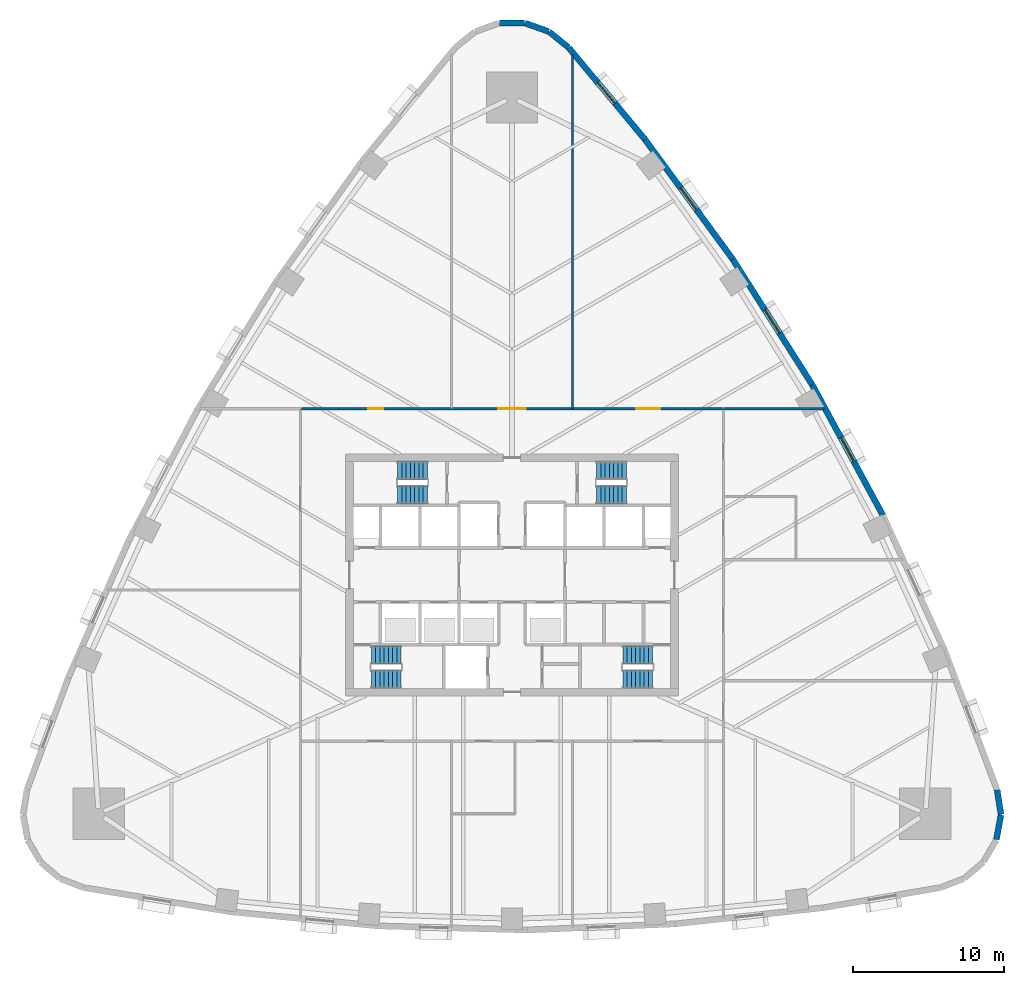
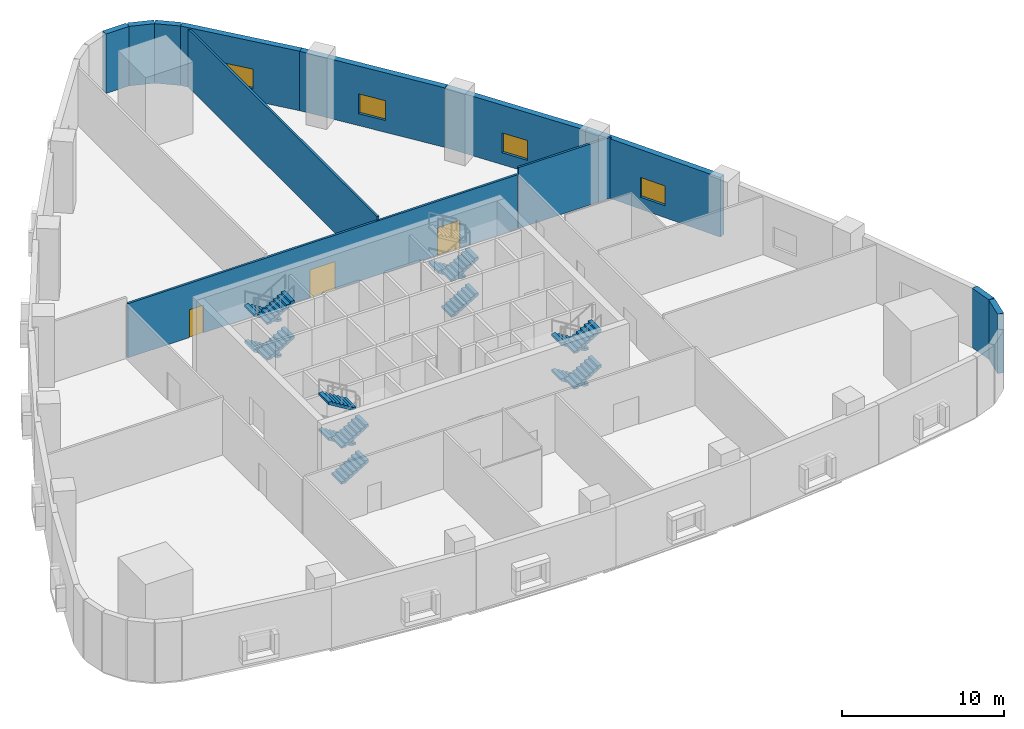
# One storey, part 6 of 11: 15 stair flights, 12 walls, 4 windows, 3 doors, 7 openings, 4 elements without a shape of their own.
"""IFC4 building model written with IfcOpenShell, lengths in metres."""

from ifc_helpers import new_model, si_unit, direction, frame, frame_2d, origin, place, context, subcontext, project, spatial, polyline, rectangle, outline, extrude, material, layer, layer_set, type_object, element, fill, aggregate, save


model = new_model("IFC4")

# Units and contexts
model_context = context("Model", 3, precision=1e-05, world=origin(), true_north=direction((0.0, 1.0)))
body_context = subcontext(model_context, "Body", "Model", "MODEL_VIEW")
ifc_project = project(units=[si_unit("LENGTHUNIT", "METRE"), si_unit("AREAUNIT", "SQUARE_METRE"), si_unit("VOLUMEUNIT", "CUBIC_METRE"), si_unit("PLANEANGLEUNIT", "RADIAN"), si_unit("MASSUNIT", "GRAM", prefix="KILO")], contexts=[model_context])

# Site, building, storey
site_placement = place(None, origin())
site = spatial("IfcSite", under=ifc_project, at=site_placement, CompositionType="ELEMENT")
building_placement = place(site_placement, origin())
building = spatial("IfcBuilding", under=site, at=building_placement, Name="Sierra Prisma Convention Tower", CompositionType="ELEMENT")
storey_placement = place(building_placement, frame((0.0, 0.0, 28.800048828125)))
storey = spatial("IfcBuildingStorey", under=building, at=storey_placement, Name="L04", CompositionType="ELEMENT", Elevation=28.800048828125)

# Wall, openings, doors
ifc_material_1 = material(Name="Gypsum board partition", Category="gypsum")
ifc_layer_1 = layer(ifc_material_1, 0.14990234375)
ifc_layer_set_1 = layer_set([ifc_layer_1], Name="Corridor wall 150 gypsum EI 60")
wall_type_1 = type_object("IfcWallType", Name="Corridor wall 150 gypsum EI 60", PredefinedType="PARTITIONING", material=ifc_layer_set_1)
wall_1_placement = place(storey_placement, frame((13.919921875, 11.0, 0.0), z_axis=(0.0, 0.0, 1.0), x_axis=(-1.0, 0.0, 0.0)))
wall_1 = element("IfcWall", 1, at=wall_1_placement, inside=storey, type_object=wall_type_1, Name="Partition L04 corr 3", PredefinedType="PARTITIONING", context=body_context, shape_type="SweptSolid", body=[
    extrude(rectangle(XDim=27.83984375, YDim=0.14990234375, at=frame_2d((13.919921875, 0.0))), origin(), (0.0, 0.0, 1.0), 4.096923828125),
])
opening_1_placement = place(wall_1_placement, frame((4.110107421875, 0.0, 0.0)))
opening_1 = element("IfcOpeningElement", 2, at=opening_1_placement, cuts=wall_1, Name="Opening L04-D026", PredefinedType="OPENING", context=body_context, shape_type="SweptSolid", body=[
    extrude(rectangle(XDim=1.60009765625, YDim=2.10009765625, at=frame_2d((0.800048828125, 1.050048828125))), frame((0.0, 0.074951171875, 0.0), z_axis=(0.0, -1.0, 0.0), x_axis=(1.0, 0.0, 0.0)), (0.0, 0.0, 1.0), 0.14990234375),
])
opening_2_placement = place(wall_1_placement, frame((13.02001953125, 0.0, 0.0)))
opening_2 = element("IfcOpeningElement", 3, at=opening_2_placement, cuts=wall_1, Name="Opening L04-D027", PredefinedType="OPENING", context=body_context, shape_type="SweptSolid", body=[
    extrude(rectangle(XDim=1.800048828125, YDim=2.10009765625, at=frame_2d((0.89990234375, 1.050048828125))), frame((0.0, 0.074951171875, 0.0), z_axis=(0.0, -1.0, 0.0), x_axis=(1.0, 0.0, 0.0)), (0.0, 0.0, 1.0), 0.14990234375),
])
opening_3_placement = place(wall_1_placement, frame((22.429931640625, 0.0, 0.0)))
opening_3 = element("IfcOpeningElement", 4, at=opening_3_placement, cuts=wall_1, Name="Opening L04-D028", PredefinedType="OPENING", context=body_context, shape_type="SweptSolid", body=[
    extrude(rectangle(XDim=1.0, YDim=2.10009765625, at=frame_2d((0.5, 1.050048828125))), frame((0.0, 0.074951171875, 0.0), z_axis=(0.0, -1.0, 0.0), x_axis=(1.0, 0.0, 0.0)), (0.0, 0.0, 1.0), 0.14990234375),
])
ifc_material_2 = material(Name="Steel fire door leaf", Category="steel")
door_type_1 = type_object("IfcDoorType", Name="Door 1000x2100 FD30S", OperationType="SINGLE_SWING_LEFT", PredefinedType="DOOR", material=ifc_material_2)
door_1_placement = place(opening_3_placement, origin())
door_1 = element("IfcDoor", 5, at=door_1_placement, inside=storey, type_object=door_type_1, Name="Door L04 5", OperationType="SINGLE_SWING_LEFT", OverallHeight=2.10009765625, OverallWidth=1.0, PredefinedType="DOOR", context=body_context, shape_type="SweptSolid", body=[
    extrude(rectangle(XDim=1.0, YDim=2.10009765625, at=frame_2d((0.5, 1.050048828125))), frame((0.0, 0.02490234375, 0.0), z_axis=(0.0, -1.0, 0.0), x_axis=(1.0, 0.0, 0.0)), (0.0, 0.0, 1.0), 0.050048828125),
])
fill(opening_3, door_1)
ifc_material_3 = material(Name="Steel fire door leaf", Category="steel")
door_type_2 = type_object("IfcDoorType", Name="Door 1600x2100 FD30S", OperationType="DOUBLE_DOOR_SINGLE_SWING", PredefinedType="DOOR", material=ifc_material_3)
door_2_placement = place(opening_1_placement, origin())
door_2 = element("IfcDoor", 6, at=door_2_placement, inside=storey, type_object=door_type_2, Name="Door L04 3", OperationType="DOUBLE_DOOR_SINGLE_SWING", OverallHeight=2.10009765625, OverallWidth=1.60009765625, PredefinedType="DOOR", context=body_context, shape_type="SweptSolid", body=[
    extrude(rectangle(XDim=1.60009765625, YDim=2.10009765625, at=frame_2d((0.800048828125, 1.050048828125))), frame((0.0, 0.02490234375, 0.0), z_axis=(0.0, -1.0, 0.0), x_axis=(1.0, 0.0, 0.0)), (0.0, 0.0, 1.0), 0.050048828125),
])
fill(opening_1, door_2)
ifc_material_4 = material(Name="Steel fire door leaf", Category="steel")
door_type_3 = type_object("IfcDoorType", Name="Door 1800x2100 FD30S", OperationType="DOUBLE_DOOR_SINGLE_SWING", PredefinedType="DOOR", material=ifc_material_4)
door_3_placement = place(opening_2_placement, origin())
door_3 = element("IfcDoor", 7, at=door_3_placement, inside=storey, type_object=door_type_3, Name="Door L04 4", OperationType="DOUBLE_DOOR_SINGLE_SWING", OverallHeight=2.10009765625, OverallWidth=1.800048828125, PredefinedType="DOOR", context=body_context, shape_type="SweptSolid", body=[
    extrude(rectangle(XDim=1.800048828125, YDim=2.10009765625, at=frame_2d((0.89990234375, 1.050048828125))), frame((0.0, 0.02490234375, 0.0), z_axis=(0.0, -1.0, 0.0), x_axis=(1.0, 0.0, 0.0)), (0.0, 0.0, 1.0), 0.050048828125),
])
fill(opening_2, door_3)

# Walls
ifc_material_5 = material(Name="Gypsum board partition", Category="gypsum")
ifc_layer_2 = layer(ifc_material_5, 0.14990234375)
ifc_layer_set_2 = layer_set([ifc_layer_2], Name="Party wall 150 gypsum")
wall_type_2 = type_object("IfcWallType", Name="Party wall 150 gypsum", PredefinedType="PARTITIONING", material=ifc_layer_set_2)
wall_2_placement = place(storey_placement, frame((4.0, 11.0, 0.0), z_axis=(0.0, 0.0, 1.0), x_axis=(0.0, 1.0, 0.0)))
element("IfcWall", 8, at=wall_2_placement, inside=storey, type_object=wall_type_2, Name="Partition L04 party 7", PredefinedType="PARTITIONING", context=body_context, shape_type="SweptSolid", body=[
    extrude(rectangle(XDim=23.422607421875, YDim=0.14990234375, at=frame_2d((11.71142578125, 0.0))), origin(), (0.0, 0.0, 1.0), 4.384033203125),
])
wall_3_placement = place(storey_placement, frame((14.0, 11.0, 0.0), z_axis=(0.0, 0.0, 1.0), x_axis=(1.0, 0.0, 0.0)))
element("IfcWall", 9, at=wall_3_placement, inside=storey, type_object=wall_type_2, Name="Partition L04 party 11", PredefinedType="PARTITIONING", context=body_context, shape_type="SweptSolid", body=[
    extrude(rectangle(XDim=6.64208984375, YDim=0.14990234375, at=frame_2d((3.321044921875, 0.0))), origin(), (0.0, 0.0, 1.0), 4.599853515625),
])
ifc_material_6 = material(Name="Concrete C40/50, terracotta plaster finish", Category="masonry")
ifc_layer_3 = layer(ifc_material_6, 0.39990234375)
ifc_layer_set_3 = layer_set([ifc_layer_3], Name="Podium plastered wall 400")
wall_type_3 = type_object("IfcWallType", Name="Podium plastered wall 400", PredefinedType="STANDARD", material=ifc_layer_set_3)
wall_4_placement = place(storey_placement, frame((32.355224609375, -15.87841796875, 0.0), z_axis=(0.0, 0.0, 1.0), x_axis=(-0.182653168579, -0.983177410241, 0.0)))
element("IfcWall", 10, at=wall_4_placement, inside=storey, type_object=wall_type_3, Name="Podium wall L04 3", PredefinedType="STANDARD", context=body_context, shape_type="SweptSolid", body=[
    extrude(rectangle(XDim=1.65869140625, YDim=0.39990234375, at=frame_2d((0.829345703125, 0.0))), origin(), (0.0, 0.0, 1.0), 4.5),
])
wall_5_placement = place(storey_placement, frame((32.099365234375, -14.218505859375, 0.0), z_axis=(0.0, 0.0, 1.0), x_axis=(0.155711266073, -0.98780261268, 0.0)))
element("IfcWall", 11, at=wall_5_placement, inside=storey, type_object=wall_type_3, Name="Podium wall L04 4", PredefinedType="STANDARD", context=body_context, shape_type="SweptSolid", body=[
    extrude(rectangle(XDim=1.646240234375, YDim=0.39990234375, at=frame_2d((0.8232421875, 0.0))), origin(), (0.0, 0.0, 1.0), 4.5),
])

# Wall, opening, window
wall_6_placement = place(storey_placement, frame((19.858642578125, 12.596923828125, 0.0), z_axis=(0.0, 0.0, 1.0), x_axis=(0.476254331716, -0.879307575039, 0.0)))
wall_6 = element("IfcWall", 12, at=wall_6_placement, inside=storey, type_object=wall_type_3, Name="Podium wall L04 7", PredefinedType="STANDARD", context=body_context, shape_type="SweptSolid", body=[
    extrude(rectangle(XDim=9.825439453125, YDim=0.39990234375, at=frame_2d((4.91259765625, 0.0))), origin(), (0.0, 0.0, 1.0), 4.5),
])
opening_4_placement = place(wall_6_placement, frame((4.0, 0.0, 0.89990234375)))
opening_4 = element("IfcOpeningElement", 13, at=opening_4_placement, cuts=wall_6, Name="Opening L04-W03", PredefinedType="OPENING", context=body_context, shape_type="SweptSolid", body=[
    extrude(rectangle(XDim=1.800048828125, YDim=1.5, at=frame_2d((0.89990234375, 0.75))), frame((0.0, 0.199951171875, 0.0), z_axis=(0.0, -1.0, 0.0), x_axis=(1.0, 0.0, 0.0)), (0.0, 0.0, 1.0), 0.39990234375),
])
ifc_material_7 = material(Name="Tinted glass, bronze aluminium frame", Category="aluminium")
window_type = type_object("IfcWindowType", Name="Podium meeting window 1800 x 1500", PartitioningType="DOUBLE_PANEL_VERTICAL", PredefinedType="WINDOW", material=ifc_material_7)
window_1_placement = place(opening_4_placement, origin())
window_1 = element("IfcWindow", 14, at=window_1_placement, inside=storey, type_object=window_type, Name="Meeting window", OverallHeight=1.5, OverallWidth=1.800048828125, PartitioningType="SINGLE_PANEL", PredefinedType="WINDOW", context=body_context, shape_type="SweptSolid", body=[
    extrude(rectangle(XDim=1.800048828125, YDim=1.5, at=frame_2d((0.89990234375, 0.75))), frame((0.0, 0.030029296875, 0.0), z_axis=(0.0, -1.0, 0.0), x_axis=(1.0, 0.0, 0.0)), (0.0, 0.0, 1.0), 0.06005859375),
])
fill(opening_4, window_1)

wall_7_placement = place(storey_placement, frame((14.599365234375, 20.904541015625, 0.0), z_axis=(0.0, 0.0, 1.0), x_axis=(0.534912566476, -0.844907418731, 0.0)))
wall_7 = element("IfcWall", 15, at=wall_7_placement, inside=storey, type_object=wall_type_3, Name="Podium wall L04 8", PredefinedType="STANDARD", context=body_context, shape_type="SweptSolid", body=[
    extrude(rectangle(XDim=9.82568359375, YDim=0.39990234375, at=frame_2d((4.912841796875, 0.0))), origin(), (0.0, 0.0, 1.0), 4.5),
])
opening_5_placement = place(wall_7_placement, frame((4.0, 0.0, 0.89990234375)))
opening_5 = element("IfcOpeningElement", 16, at=opening_5_placement, cuts=wall_7, Name="Opening L04-W04", PredefinedType="OPENING", context=body_context, shape_type="SweptSolid", body=[
    extrude(rectangle(XDim=1.800048828125, YDim=1.5, at=frame_2d((0.89990234375, 0.75))), frame((0.0, 0.199951171875, 0.0), z_axis=(0.0, -1.0, 0.0), x_axis=(1.0, 0.0, 0.0)), (0.0, 0.0, 1.0), 0.39990234375),
])
window_2_placement = place(opening_5_placement, origin())
window_2 = element("IfcWindow", 17, at=window_2_placement, inside=storey, type_object=window_type, Name="Meeting window", OverallHeight=1.5, OverallWidth=1.800048828125, PartitioningType="SINGLE_PANEL", PredefinedType="WINDOW", context=body_context, shape_type="SweptSolid", body=[
    extrude(rectangle(XDim=1.800048828125, YDim=1.5, at=frame_2d((0.89990234375, 0.75))), frame((0.0, 0.030029296875, 0.0), z_axis=(0.0, -1.0, 0.0), x_axis=(1.0, 0.0, 0.0)), (0.0, 0.0, 1.0), 0.06005859375),
])
fill(opening_5, window_2)

wall_8_placement = place(storey_placement, frame((8.78759765625, 28.835693359375, 0.0), z_axis=(0.0, 0.0, 1.0), x_axis=(0.591085715329, -0.806608750966, 0.0)))
wall_8 = element("IfcWall", 18, at=wall_8_placement, inside=storey, type_object=wall_type_3, Name="Podium wall L04 9", PredefinedType="STANDARD", context=body_context, shape_type="SweptSolid", body=[
    extrude(rectangle(XDim=9.82568359375, YDim=0.39990234375, at=frame_2d((4.912841796875, 0.0))), origin(), (0.0, 0.0, 1.0), 4.5),
])
opening_6_placement = place(wall_8_placement, frame((4.0, 0.0, 0.89990234375)))
opening_6 = element("IfcOpeningElement", 19, at=opening_6_placement, cuts=wall_8, Name="Opening L04-W05", PredefinedType="OPENING", context=body_context, shape_type="SweptSolid", body=[
    extrude(rectangle(XDim=1.800048828125, YDim=1.5, at=frame_2d((0.89990234375, 0.75))), frame((0.0, 0.199951171875, 0.0), z_axis=(0.0, -1.0, 0.0), x_axis=(1.0, 0.0, 0.0)), (0.0, 0.0, 1.0), 0.39990234375),
])
window_3_placement = place(opening_6_placement, origin())
window_3 = element("IfcWindow", 20, at=window_3_placement, inside=storey, type_object=window_type, Name="Meeting window", OverallHeight=1.5, OverallWidth=1.800048828125, PartitioningType="SINGLE_PANEL", PredefinedType="WINDOW", context=body_context, shape_type="SweptSolid", body=[
    extrude(rectangle(XDim=1.800048828125, YDim=1.5, at=frame_2d((0.89990234375, 0.75))), frame((0.0, 0.030029296875, 0.0), z_axis=(0.0, -1.0, 0.0), x_axis=(1.0, 0.0, 0.0)), (0.0, 0.0, 1.0), 0.06005859375),
])
fill(opening_6, window_3)

wall_9_placement = place(storey_placement, frame((3.75, 34.894287109375, 0.0), z_axis=(0.0, 0.0, 1.0), x_axis=(0.639357483443, -0.768909623015, 0.0)))
wall_9 = element("IfcWall", 21, at=wall_9_placement, inside=storey, type_object=wall_type_3, Name="Podium wall L04 10", PredefinedType="STANDARD", context=body_context, shape_type="SweptSolid", body=[
    extrude(rectangle(XDim=7.87353515625, YDim=0.39990234375, at=frame_2d((3.936767578125, 0.0))), origin(), (0.0, 0.0, 1.0), 4.5),
])
opening_7_placement = place(wall_9_placement, frame((3.0, 0.0, 0.89990234375)))
opening_7 = element("IfcOpeningElement", 22, at=opening_7_placement, cuts=wall_9, Name="Opening L04-W06", PredefinedType="OPENING", context=body_context, shape_type="SweptSolid", body=[
    extrude(rectangle(XDim=1.800048828125, YDim=1.5, at=frame_2d((0.89990234375, 0.75))), frame((0.0, 0.199951171875, 0.0), z_axis=(0.0, -1.0, 0.0), x_axis=(1.0, 0.0, 0.0)), (0.0, 0.0, 1.0), 0.39990234375),
])
window_4_placement = place(opening_7_placement, origin())
window_4 = element("IfcWindow", 23, at=window_4_placement, inside=storey, type_object=window_type, Name="Meeting window", OverallHeight=1.5, OverallWidth=1.800048828125, PartitioningType="SINGLE_PANEL", PredefinedType="WINDOW", context=body_context, shape_type="SweptSolid", body=[
    extrude(rectangle(XDim=1.800048828125, YDim=1.5, at=frame_2d((0.89990234375, 0.75))), frame((0.0, 0.030029296875, 0.0), z_axis=(0.0, -1.0, 0.0), x_axis=(1.0, 0.0, 0.0)), (0.0, 0.0, 1.0), 0.06005859375),
])
fill(opening_7, window_4)

# Walls
wall_10_placement = place(storey_placement, frame((2.455810546875, 35.943115234375, 0.0), z_axis=(0.0, 0.0, 1.0), x_axis=(0.77769018818, -0.628647732207, 0.0)))
element("IfcWall", 24, at=wall_10_placement, inside=storey, type_object=wall_type_3, Name="Podium wall L04 11", PredefinedType="STANDARD", context=body_context, shape_type="SweptSolid", body=[
    extrude(rectangle(XDim=1.646240234375, YDim=0.39990234375, at=frame_2d((0.8232421875, 0.0))), origin(), (0.0, 0.0, 1.0), 4.5),
])
for number, where, z_axis, x_axis, name in (
    (25, (0.86279296875, 36.5126953125, 0.0), (0.0, 0.0, 1.0), (0.942786347799, -0.333397514093, 0.0), "Podium wall L04 12"),
    (26, (-0.829345703125, 36.5185546875, 0.0), (0.0, 0.0, 1.0), (1.0, 0.0, 0.0), "Podium wall L04 13"),
):
    element("IfcWall", number, at=place(storey_placement, frame(where, z_axis=z_axis, x_axis=x_axis)), inside=storey, type_object=wall_type_3, Name=name, PredefinedType="STANDARD", context=body_context, shape_type="SweptSolid", body=[
        extrude(rectangle(XDim=1.65869140625, YDim=0.39990234375, at=frame_2d((0.829345703125, 0.0))), origin(), (0.0, 0.0, 1.0), 4.5),
    ])

# Stair, stair flights
ifc_material_8 = material(Name="Concrete C30/37", Category="concrete")
stair_type = type_object("IfcStairType", Name="Stair dog-leg 1200 RC", PredefinedType="HALF_TURN_STAIR", material=ifc_material_8)
stair_1_placement = place(storey_placement, origin())
stair_1 = element("IfcStair", 27, at=stair_1_placement, inside=storey, type_object=stair_type, Name="L04 S1", PredefinedType="HALF_TURN_STAIR")
ifc_material_9 = material(Name="Concrete C30/37", Category="concrete")
stair_flight_type = type_object("IfcStairFlightType", Name="Stair flight RC 1200", PredefinedType="STRAIGHT", material=ifc_material_9)
stair_flight_1_placement = place(storey_placement, frame((-9.300048828125, -6.89990234375, 0.0), z_axis=(0.0, 0.0, 1.0), x_axis=(1.0, 0.0, 0.0)))
stair_flight_1 = element("IfcStairFlight", 28, at=stair_flight_1_placement, type_object=stair_flight_type, Name="S1 flight 1", NumberOfRisers=8, NumberOfTreads=7, PredefinedType="STRAIGHT", RiserHeight=0.16875, TreadLength=0.28, context=body_context, shape_type="SweptSolid", body=[
    extrude(outline(polyline([(0.0, 0.0), (0.0, 0.168701171875), (0.280029296875, 0.168701171875), (0.280029296875, 0.33740234375), (0.56005859375, 0.33740234375), (0.56005859375, 0.50634765625), (0.840087890625, 0.50634765625), (0.840087890625, 0.675048828125), (1.1201171875, 0.675048828125), (1.1201171875, 0.84375), (1.39990234375, 0.84375), (1.39990234375, 1.012451171875), (1.679931640625, 1.012451171875), (1.679931640625, 1.18115234375), (1.9599609375, 1.18115234375), (1.9599609375, 1.35009765625), (1.9599609375, 1.00634765625), (0.29052734375, 0.0), (0.0, 0.0)])), frame((0.0, 0.60009765625, 0.0), z_axis=(0.0, -1.0, 0.0), x_axis=(1.0, 0.0, 0.0)), (0.0, 0.0, 1.0), 1.199951171875),
])
stair_flight_2_placement = place(storey_placement, frame((-7.340087890625, -5.300048828125, 1.349853515625), z_axis=(0.0, 0.0, 1.0), x_axis=(-1.0, 0.0, 0.0)))
stair_flight_2 = element("IfcStairFlight", 29, at=stair_flight_2_placement, type_object=stair_flight_type, Name="S1 flight 2", NumberOfRisers=8, NumberOfTreads=7, PredefinedType="STRAIGHT", RiserHeight=0.16875, TreadLength=0.28, context=body_context, shape_type="SweptSolid", body=[
    extrude(outline(polyline([(0.0, 0.0), (0.0, 0.168701171875), (0.280029296875, 0.168701171875), (0.280029296875, 0.33740234375), (0.56005859375, 0.33740234375), (0.56005859375, 0.50634765625), (0.840087890625, 0.50634765625), (0.840087890625, 0.675048828125), (1.1201171875, 0.675048828125), (1.1201171875, 0.84375), (1.39990234375, 0.84375), (1.39990234375, 1.012451171875), (1.679931640625, 1.012451171875), (1.679931640625, 1.18115234375), (1.9599609375, 1.18115234375), (1.9599609375, 1.35009765625), (1.9599609375, 1.00634765625), (0.29052734375, 0.0), (0.0, 0.0)])), frame((0.0, 0.60009765625, 0.0), z_axis=(0.0, -1.0, 0.0), x_axis=(1.0, 0.0, 0.0)), (0.0, 0.0, 1.0), 1.199951171875),
])
stair_flight_3_placement = place(storey_placement, frame((-9.300048828125, -6.89990234375, 2.699951171875), z_axis=(0.0, 0.0, 1.0), x_axis=(1.0, 0.0, 0.0)))
stair_flight_3 = element("IfcStairFlight", 30, at=stair_flight_3_placement, type_object=stair_flight_type, Name="S1 flight 3", NumberOfRisers=8, NumberOfTreads=7, PredefinedType="STRAIGHT", RiserHeight=0.16875, TreadLength=0.28, context=body_context, shape_type="SweptSolid", body=[
    extrude(outline(polyline([(0.0, 0.0), (0.0, 0.168701171875), (0.280029296875, 0.168701171875), (0.280029296875, 0.33740234375), (0.56005859375, 0.33740234375), (0.56005859375, 0.50634765625), (0.840087890625, 0.50634765625), (0.840087890625, 0.675048828125), (1.1201171875, 0.675048828125), (1.1201171875, 0.84375), (1.39990234375, 0.84375), (1.39990234375, 1.012451171875), (1.679931640625, 1.012451171875), (1.679931640625, 1.18115234375), (1.9599609375, 1.18115234375), (1.9599609375, 1.35009765625), (1.9599609375, 1.00634765625), (0.29052734375, 0.0), (0.0, 0.0)])), frame((0.0, 0.60009765625, 0.0), z_axis=(0.0, -1.0, 0.0), x_axis=(1.0, 0.0, 0.0)), (0.0, 0.0, 1.0), 1.199951171875),
])
stair_flight_4_placement = place(storey_placement, frame((-7.340087890625, -5.300048828125, 4.050048828125), z_axis=(0.0, 0.0, 1.0), x_axis=(-1.0, 0.0, 0.0)))
stair_flight_4 = element("IfcStairFlight", 31, at=stair_flight_4_placement, type_object=stair_flight_type, Name="S1 flight 4", NumberOfRisers=8, NumberOfTreads=7, PredefinedType="STRAIGHT", RiserHeight=0.16875, TreadLength=0.28, context=body_context, shape_type="SweptSolid", body=[
    extrude(outline(polyline([(0.0, 0.0), (0.0, 0.168701171875), (0.280029296875, 0.168701171875), (0.280029296875, 0.33740234375), (0.56005859375, 0.33740234375), (0.56005859375, 0.50634765625), (0.840087890625, 0.50634765625), (0.840087890625, 0.675048828125), (1.1201171875, 0.675048828125), (1.1201171875, 0.84375), (1.39990234375, 0.84375), (1.39990234375, 1.012451171875), (1.679931640625, 1.012451171875), (1.679931640625, 1.18115234375), (1.9599609375, 1.18115234375), (1.9599609375, 1.35009765625), (1.9599609375, 1.00634765625), (0.29052734375, 0.0), (0.0, 0.0)])), frame((0.0, 0.60009765625, 0.0), z_axis=(0.0, -1.0, 0.0), x_axis=(1.0, 0.0, 0.0)), (0.0, 0.0, 1.0), 1.199951171875),
])
aggregate(stair_1, [stair_flight_1, stair_flight_2, stair_flight_3, stair_flight_4])

stair_2_placement = place(storey_placement, origin())
stair_2 = element("IfcStair", 32, at=stair_2_placement, inside=storey, type_object=stair_type, Name="L04 S2", PredefinedType="HALF_TURN_STAIR")
stair_flight_5_placement = place(storey_placement, frame((9.300048828125, -5.300048828125, 0.0), z_axis=(0.0, 0.0, 1.0), x_axis=(-1.0, 0.0, 0.0)))
stair_flight_5 = element("IfcStairFlight", 33, at=stair_flight_5_placement, type_object=stair_flight_type, Name="S2 flight 1", NumberOfRisers=8, NumberOfTreads=7, PredefinedType="STRAIGHT", RiserHeight=0.16875, TreadLength=0.28, context=body_context, shape_type="SweptSolid", body=[
    extrude(outline(polyline([(0.0, 0.0), (0.0, 0.168701171875), (0.280029296875, 0.168701171875), (0.280029296875, 0.33740234375), (0.56005859375, 0.33740234375), (0.56005859375, 0.50634765625), (0.840087890625, 0.50634765625), (0.840087890625, 0.675048828125), (1.1201171875, 0.675048828125), (1.1201171875, 0.84375), (1.39990234375, 0.84375), (1.39990234375, 1.012451171875), (1.679931640625, 1.012451171875), (1.679931640625, 1.18115234375), (1.9599609375, 1.18115234375), (1.9599609375, 1.35009765625), (1.9599609375, 1.00634765625), (0.29052734375, 0.0), (0.0, 0.0)])), frame((0.0, 0.60009765625, 0.0), z_axis=(0.0, -1.0, 0.0), x_axis=(1.0, 0.0, 0.0)), (0.0, 0.0, 1.0), 1.199951171875),
])
stair_flight_6_placement = place(storey_placement, frame((7.340087890625, -6.89990234375, 1.349853515625), z_axis=(0.0, 0.0, 1.0), x_axis=(1.0, 0.0, 0.0)))
stair_flight_6 = element("IfcStairFlight", 34, at=stair_flight_6_placement, type_object=stair_flight_type, Name="S2 flight 2", NumberOfRisers=8, NumberOfTreads=7, PredefinedType="STRAIGHT", RiserHeight=0.16875, TreadLength=0.28, context=body_context, shape_type="SweptSolid", body=[
    extrude(outline(polyline([(0.0, 0.0), (0.0, 0.168701171875), (0.280029296875, 0.168701171875), (0.280029296875, 0.33740234375), (0.56005859375, 0.33740234375), (0.56005859375, 0.50634765625), (0.840087890625, 0.50634765625), (0.840087890625, 0.675048828125), (1.1201171875, 0.675048828125), (1.1201171875, 0.84375), (1.39990234375, 0.84375), (1.39990234375, 1.012451171875), (1.679931640625, 1.012451171875), (1.679931640625, 1.18115234375), (1.9599609375, 1.18115234375), (1.9599609375, 1.35009765625), (1.9599609375, 1.00634765625), (0.29052734375, 0.0), (0.0, 0.0)])), frame((0.0, 0.60009765625, 0.0), z_axis=(0.0, -1.0, 0.0), x_axis=(1.0, 0.0, 0.0)), (0.0, 0.0, 1.0), 1.199951171875),
])
stair_flight_7_placement = place(storey_placement, frame((9.300048828125, -5.300048828125, 2.699951171875), z_axis=(0.0, 0.0, 1.0), x_axis=(-1.0, 0.0, 0.0)))
stair_flight_7 = element("IfcStairFlight", 35, at=stair_flight_7_placement, type_object=stair_flight_type, Name="S2 flight 3", NumberOfRisers=8, NumberOfTreads=7, PredefinedType="STRAIGHT", RiserHeight=0.16875, TreadLength=0.28, context=body_context, shape_type="SweptSolid", body=[
    extrude(outline(polyline([(0.0, 0.0), (0.0, 0.168701171875), (0.280029296875, 0.168701171875), (0.280029296875, 0.33740234375), (0.56005859375, 0.33740234375), (0.56005859375, 0.50634765625), (0.840087890625, 0.50634765625), (0.840087890625, 0.675048828125), (1.1201171875, 0.675048828125), (1.1201171875, 0.84375), (1.39990234375, 0.84375), (1.39990234375, 1.012451171875), (1.679931640625, 1.012451171875), (1.679931640625, 1.18115234375), (1.9599609375, 1.18115234375), (1.9599609375, 1.35009765625), (1.9599609375, 1.00634765625), (0.29052734375, 0.0), (0.0, 0.0)])), frame((0.0, 0.60009765625, 0.0), z_axis=(0.0, -1.0, 0.0), x_axis=(1.0, 0.0, 0.0)), (0.0, 0.0, 1.0), 1.199951171875),
])
stair_flight_8_placement = place(storey_placement, frame((7.340087890625, -6.89990234375, 4.050048828125), z_axis=(0.0, 0.0, 1.0), x_axis=(1.0, 0.0, 0.0)))
stair_flight_8 = element("IfcStairFlight", 36, at=stair_flight_8_placement, type_object=stair_flight_type, Name="S2 flight 4", NumberOfRisers=8, NumberOfTreads=7, PredefinedType="STRAIGHT", RiserHeight=0.16875, TreadLength=0.28, context=body_context, shape_type="SweptSolid", body=[
    extrude(outline(polyline([(0.0, 0.0), (0.0, 0.168701171875), (0.280029296875, 0.168701171875), (0.280029296875, 0.33740234375), (0.56005859375, 0.33740234375), (0.56005859375, 0.50634765625), (0.840087890625, 0.50634765625), (0.840087890625, 0.675048828125), (1.1201171875, 0.675048828125), (1.1201171875, 0.84375), (1.39990234375, 0.84375), (1.39990234375, 1.012451171875), (1.679931640625, 1.012451171875), (1.679931640625, 1.18115234375), (1.9599609375, 1.18115234375), (1.9599609375, 1.35009765625), (1.9599609375, 1.00634765625), (0.29052734375, 0.0), (0.0, 0.0)])), frame((0.0, 0.60009765625, 0.0), z_axis=(0.0, -1.0, 0.0), x_axis=(1.0, 0.0, 0.0)), (0.0, 0.0, 1.0), 1.199951171875),
])
aggregate(stair_2, [stair_flight_5, stair_flight_6, stair_flight_7, stair_flight_8])

stair_3_placement = place(storey_placement, origin())
stair_3 = element("IfcStair", 37, at=stair_3_placement, inside=storey, type_object=stair_type, Name="L04 S3", PredefinedType="HALF_TURN_STAIR")
stair_flight_9_placement = place(storey_placement, frame((-5.60009765625, 6.89990234375, 0.0), z_axis=(0.0, 0.0, 1.0), x_axis=(-1.0, 0.0, 0.0)))
stair_flight_9 = element("IfcStairFlight", 38, at=stair_flight_9_placement, type_object=stair_flight_type, Name="S3 flight 1", NumberOfRisers=8, NumberOfTreads=7, PredefinedType="STRAIGHT", RiserHeight=0.16875, TreadLength=0.28, context=body_context, shape_type="SweptSolid", body=[
    extrude(outline(polyline([(0.0, 0.0), (0.0, 0.168701171875), (0.280029296875, 0.168701171875), (0.280029296875, 0.33740234375), (0.56005859375, 0.33740234375), (0.56005859375, 0.50634765625), (0.840087890625, 0.50634765625), (0.840087890625, 0.675048828125), (1.1201171875, 0.675048828125), (1.1201171875, 0.84375), (1.39990234375, 0.84375), (1.39990234375, 1.012451171875), (1.679931640625, 1.012451171875), (1.679931640625, 1.18115234375), (1.9599609375, 1.18115234375), (1.9599609375, 1.35009765625), (1.9599609375, 1.00634765625), (0.29052734375, 0.0), (0.0, 0.0)])), frame((0.0, 0.60009765625, 0.0), z_axis=(0.0, -1.0, 0.0), x_axis=(1.0, 0.0, 0.0)), (0.0, 0.0, 1.0), 1.199951171875),
])
stair_flight_10_placement = place(storey_placement, frame((-7.56005859375, 5.300048828125, 1.349853515625), z_axis=(0.0, 0.0, 1.0), x_axis=(1.0, 0.0, 0.0)))
stair_flight_10 = element("IfcStairFlight", 39, at=stair_flight_10_placement, type_object=stair_flight_type, Name="S3 flight 2", NumberOfRisers=8, NumberOfTreads=7, PredefinedType="STRAIGHT", RiserHeight=0.16875, TreadLength=0.28, context=body_context, shape_type="SweptSolid", body=[
    extrude(outline(polyline([(0.0, 0.0), (0.0, 0.168701171875), (0.280029296875, 0.168701171875), (0.280029296875, 0.33740234375), (0.56005859375, 0.33740234375), (0.56005859375, 0.50634765625), (0.840087890625, 0.50634765625), (0.840087890625, 0.675048828125), (1.1201171875, 0.675048828125), (1.1201171875, 0.84375), (1.39990234375, 0.84375), (1.39990234375, 1.012451171875), (1.679931640625, 1.012451171875), (1.679931640625, 1.18115234375), (1.9599609375, 1.18115234375), (1.9599609375, 1.35009765625), (1.9599609375, 1.00634765625), (0.29052734375, 0.0), (0.0, 0.0)])), frame((0.0, 0.60009765625, 0.0), z_axis=(0.0, -1.0, 0.0), x_axis=(1.0, 0.0, 0.0)), (0.0, 0.0, 1.0), 1.199951171875),
])
stair_flight_11_placement = place(storey_placement, frame((-5.60009765625, 6.89990234375, 2.699951171875), z_axis=(0.0, 0.0, 1.0), x_axis=(-1.0, 0.0, 0.0)))
stair_flight_11 = element("IfcStairFlight", 40, at=stair_flight_11_placement, type_object=stair_flight_type, Name="S3 flight 3", NumberOfRisers=8, NumberOfTreads=7, PredefinedType="STRAIGHT", RiserHeight=0.16875, TreadLength=0.28, context=body_context, shape_type="SweptSolid", body=[
    extrude(outline(polyline([(0.0, 0.0), (0.0, 0.168701171875), (0.280029296875, 0.168701171875), (0.280029296875, 0.33740234375), (0.56005859375, 0.33740234375), (0.56005859375, 0.50634765625), (0.840087890625, 0.50634765625), (0.840087890625, 0.675048828125), (1.1201171875, 0.675048828125), (1.1201171875, 0.84375), (1.39990234375, 0.84375), (1.39990234375, 1.012451171875), (1.679931640625, 1.012451171875), (1.679931640625, 1.18115234375), (1.9599609375, 1.18115234375), (1.9599609375, 1.35009765625), (1.9599609375, 1.00634765625), (0.29052734375, 0.0), (0.0, 0.0)])), frame((0.0, 0.60009765625, 0.0), z_axis=(0.0, -1.0, 0.0), x_axis=(1.0, 0.0, 0.0)), (0.0, 0.0, 1.0), 1.199951171875),
])
stair_flight_12_placement = place(storey_placement, frame((-7.56005859375, 5.300048828125, 4.050048828125), z_axis=(0.0, 0.0, 1.0), x_axis=(1.0, 0.0, 0.0)))
stair_flight_12 = element("IfcStairFlight", 41, at=stair_flight_12_placement, type_object=stair_flight_type, Name="S3 flight 4", NumberOfRisers=8, NumberOfTreads=7, PredefinedType="STRAIGHT", RiserHeight=0.16875, TreadLength=0.28, context=body_context, shape_type="SweptSolid", body=[
    extrude(outline(polyline([(0.0, 0.0), (0.0, 0.168701171875), (0.280029296875, 0.168701171875), (0.280029296875, 0.33740234375), (0.56005859375, 0.33740234375), (0.56005859375, 0.50634765625), (0.840087890625, 0.50634765625), (0.840087890625, 0.675048828125), (1.1201171875, 0.675048828125), (1.1201171875, 0.84375), (1.39990234375, 0.84375), (1.39990234375, 1.012451171875), (1.679931640625, 1.012451171875), (1.679931640625, 1.18115234375), (1.9599609375, 1.18115234375), (1.9599609375, 1.35009765625), (1.9599609375, 1.00634765625), (0.29052734375, 0.0), (0.0, 0.0)])), frame((0.0, 0.60009765625, 0.0), z_axis=(0.0, -1.0, 0.0), x_axis=(1.0, 0.0, 0.0)), (0.0, 0.0, 1.0), 1.199951171875),
])
aggregate(stair_3, [stair_flight_9, stair_flight_10, stair_flight_11, stair_flight_12])

stair_4_placement = place(storey_placement, origin())
stair_4 = element("IfcStair", 42, at=stair_4_placement, inside=storey, type_object=stair_type, Name="L04 S4", PredefinedType="HALF_TURN_STAIR")
stair_flight_13_placement = place(storey_placement, frame((5.60009765625, 5.300048828125, 0.0), z_axis=(0.0, 0.0, 1.0), x_axis=(1.0, 0.0, 0.0)))
stair_flight_13 = element("IfcStairFlight", 43, at=stair_flight_13_placement, type_object=stair_flight_type, Name="S4 flight 1", NumberOfRisers=8, NumberOfTreads=7, PredefinedType="STRAIGHT", RiserHeight=0.16875, TreadLength=0.28, context=body_context, shape_type="SweptSolid", body=[
    extrude(outline(polyline([(0.0, 0.0), (0.0, 0.168701171875), (0.280029296875, 0.168701171875), (0.280029296875, 0.33740234375), (0.56005859375, 0.33740234375), (0.56005859375, 0.50634765625), (0.840087890625, 0.50634765625), (0.840087890625, 0.675048828125), (1.1201171875, 0.675048828125), (1.1201171875, 0.84375), (1.39990234375, 0.84375), (1.39990234375, 1.012451171875), (1.679931640625, 1.012451171875), (1.679931640625, 1.18115234375), (1.9599609375, 1.18115234375), (1.9599609375, 1.35009765625), (1.9599609375, 1.00634765625), (0.29052734375, 0.0), (0.0, 0.0)])), frame((0.0, 0.60009765625, 0.0), z_axis=(0.0, -1.0, 0.0), x_axis=(1.0, 0.0, 0.0)), (0.0, 0.0, 1.0), 1.199951171875),
])
stair_flight_14_placement = place(storey_placement, frame((7.56005859375, 6.89990234375, 1.349853515625), z_axis=(0.0, 0.0, 1.0), x_axis=(-1.0, 0.0, 0.0)))
stair_flight_14 = element("IfcStairFlight", 44, at=stair_flight_14_placement, type_object=stair_flight_type, Name="S4 flight 2", NumberOfRisers=8, NumberOfTreads=7, PredefinedType="STRAIGHT", RiserHeight=0.16875, TreadLength=0.28, context=body_context, shape_type="SweptSolid", body=[
    extrude(outline(polyline([(0.0, 0.0), (0.0, 0.168701171875), (0.280029296875, 0.168701171875), (0.280029296875, 0.33740234375), (0.56005859375, 0.33740234375), (0.56005859375, 0.50634765625), (0.840087890625, 0.50634765625), (0.840087890625, 0.675048828125), (1.1201171875, 0.675048828125), (1.1201171875, 0.84375), (1.39990234375, 0.84375), (1.39990234375, 1.012451171875), (1.679931640625, 1.012451171875), (1.679931640625, 1.18115234375), (1.9599609375, 1.18115234375), (1.9599609375, 1.35009765625), (1.9599609375, 1.00634765625), (0.29052734375, 0.0), (0.0, 0.0)])), frame((0.0, 0.60009765625, 0.0), z_axis=(0.0, -1.0, 0.0), x_axis=(1.0, 0.0, 0.0)), (0.0, 0.0, 1.0), 1.199951171875),
])
stair_flight_15_placement = place(storey_placement, frame((5.60009765625, 5.300048828125, 2.699951171875), z_axis=(0.0, 0.0, 1.0), x_axis=(1.0, 0.0, 0.0)))
stair_flight_15 = element("IfcStairFlight", 45, at=stair_flight_15_placement, type_object=stair_flight_type, Name="S4 flight 3", NumberOfRisers=8, NumberOfTreads=7, PredefinedType="STRAIGHT", RiserHeight=0.16875, TreadLength=0.28, context=body_context, shape_type="SweptSolid", body=[
    extrude(outline(polyline([(0.0, 0.0), (0.0, 0.168701171875), (0.280029296875, 0.168701171875), (0.280029296875, 0.33740234375), (0.56005859375, 0.33740234375), (0.56005859375, 0.50634765625), (0.840087890625, 0.50634765625), (0.840087890625, 0.675048828125), (1.1201171875, 0.675048828125), (1.1201171875, 0.84375), (1.39990234375, 0.84375), (1.39990234375, 1.012451171875), (1.679931640625, 1.012451171875), (1.679931640625, 1.18115234375), (1.9599609375, 1.18115234375), (1.9599609375, 1.35009765625), (1.9599609375, 1.00634765625), (0.29052734375, 0.0), (0.0, 0.0)])), frame((0.0, 0.60009765625, 0.0), z_axis=(0.0, -1.0, 0.0), x_axis=(1.0, 0.0, 0.0)), (0.0, 0.0, 1.0), 1.199951171875),
])
aggregate(stair_4, [stair_flight_13, stair_flight_14, stair_flight_15])

save(model, "model.ifc")
